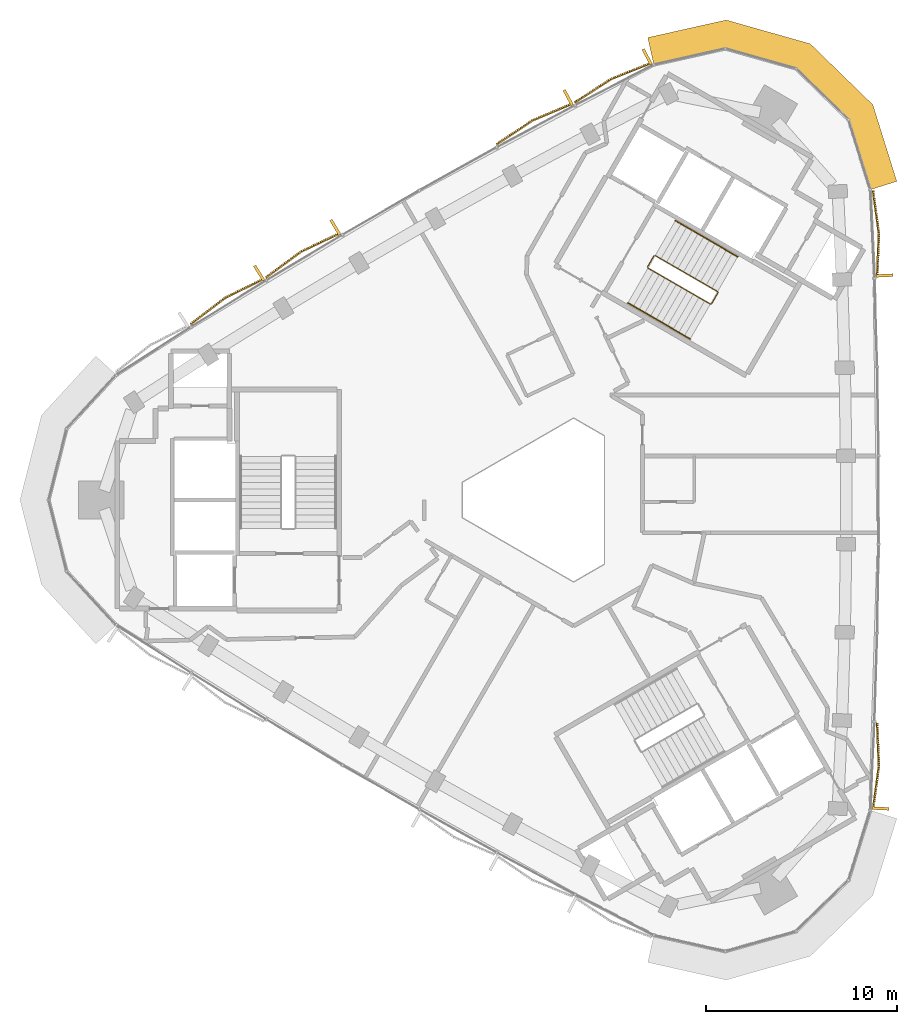
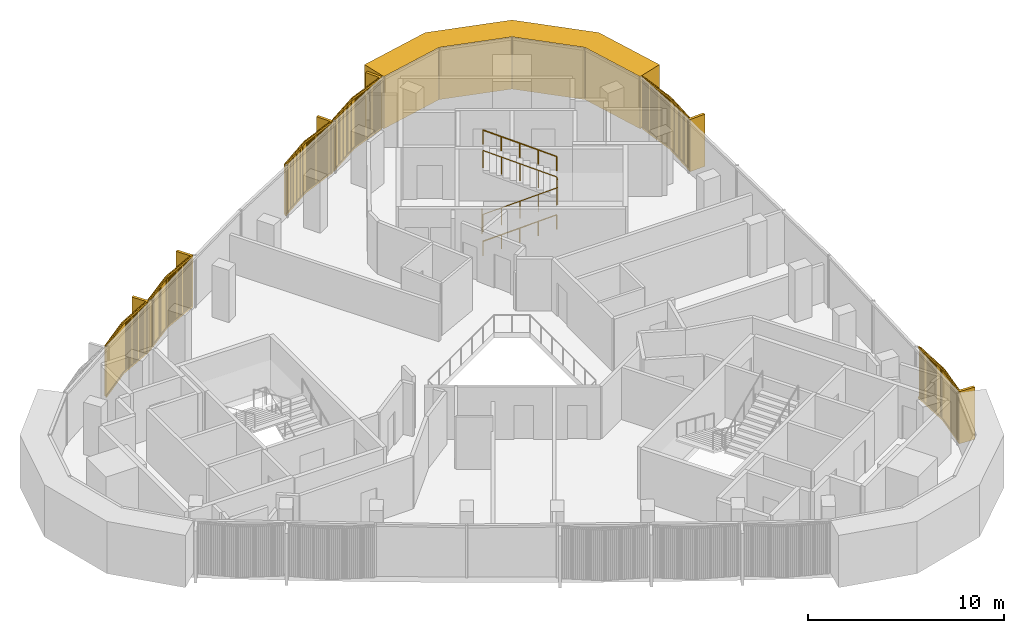
# One storey, part 12 of 12: 7 coverings, 3 railings.
"""IFC4 building model written with IfcOpenShell, lengths in metres."""

from ifc_helpers import new_model, si_unit, direction, frame, frame_2d, origin, origin_2d, place, context, subcontext, project, spatial, polyline, rectangle, circle, outline, extrude, source, transform, mapped, material, layer, layer_set, type_object, element, save


model = new_model("IFC4")

# Units and contexts
model_context = context("Model", 3, precision=1e-05, world=origin(), true_north=direction((0.0, 1.0)))
body_context = subcontext(model_context, "Body", "Model", "MODEL_VIEW")
ifc_project = project(units=[si_unit("LENGTHUNIT", "METRE"), si_unit("AREAUNIT", "SQUARE_METRE"), si_unit("VOLUMEUNIT", "CUBIC_METRE"), si_unit("PLANEANGLEUNIT", "RADIAN"), si_unit("MASSUNIT", "GRAM", prefix="KILO")], contexts=[model_context])

# Site, building, storey
site_placement = place(None, origin())
site = spatial("IfcSite", under=ifc_project, at=site_placement, CompositionType="ELEMENT")
building_placement = place(site_placement, origin())
building = spatial("IfcBuilding", under=site, at=building_placement, Name="Tamra Quay Hotel Tower", CompositionType="ELEMENT")
storey_placement = place(building_placement, frame((0.0, 0.0, 269.39990234375)))
storey = spatial("IfcBuildingStorey", under=building, at=storey_placement, Name="L68", CompositionType="ELEMENT", Elevation=269.39990234375)

# Covering
ifc_material_1 = material(Name="Precast concrete M60 terracotta-coloured", Category="masonry")
ifc_layer = layer(ifc_material_1, 1.449951171875)
ifc_layer_set = layer_set([ifc_layer], Name="CORNER PIER PANEL")
covering_type_1 = type_object("IfcCoveringType", Name="CORNER PIER PANEL", PredefinedType="CLADDING", material=ifc_layer_set)
covering_placement = place(storey_placement, origin())
element("IfcCovering", 1, at=covering_placement, inside=storey, type_object=covering_type_1, Name="Corner pier L68.east", PredefinedType="CLADDING", context=body_context, shape_type="SweptSolid", body=[
    extrude(outline(polyline([(16.89990234375, 16.210205078125), (18.283935546875, 16.642822265625), (17.031494140625, 20.649169921875), (13.759521484375, 23.832275390625), (9.366943359375, 25.07421875), (5.271240234375, 24.15576171875), (5.58837890625, 22.740966796875), (9.325927734375, 23.5791015625), (13.01171875, 22.536865234375), (15.757080078125, 19.865966796875), (16.89990234375, 16.210205078125)])), origin(), (0.0, 0.0, 1.0), 3.25),
])

# Railings
ifc_material_2 = material(Name="Stair guard 1100")
railing_type_1 = type_object("IfcRailingType", Name="Stair guard 1100", PredefinedType="GUARDRAIL", material=ifc_material_2)
railing_1_placement = place(storey_placement, frame((5.595458984375, 12.751953125, 0.0)))
element("IfcRailing", 2, at=railing_1_placement, inside=storey, type_object=railing_type_1, Name="GR", PredefinedType="GUARDRAIL", context=body_context, shape_type="SweptSolid", body=[
    extrude(circle(Radius=0.02392578125, at=origin_2d()), frame((0.0, 0.0, 1.076171875), z_axis=(-0.499765215335, -0.866160914346, 0.0), x_axis=(0.866160914346, -0.499765215335, 0.0)), (0.0, 0.0, 1.0), 0.658935546875),
    extrude(circle(Radius=0.02392578125, at=origin_2d()), frame((-0.329345703125, -0.57080078125, 1.076171875), z_axis=(0.110378772244, -0.410609032747, 0.905105932399), x_axis=(0.965715946433, 0.259601060869, 0.0)), (0.0, 0.0, 1.0), 0.165771484375),
    extrude(circle(Radius=0.02392578125, at=origin_2d()), frame((-0.31103515625, -0.638916015625, 1.22607421875), z_axis=(0.793078462799, -0.457933869594, 0.401650498471), x_axis=(0.500040788363, 0.866001853331, 0.0)), (0.0, 0.0, 1.0), 4.10791015625),
    extrude(circle(Radius=0.02392578125, at=origin_2d()), frame((2.94677734375, -2.52001953125, 2.8759765625), z_axis=(0.965948051503, 0.258736085224, 0.0), x_axis=(-0.258736085224, 0.965948051503, 0.0)), (0.0, 0.0, 1.0), 0.07080078125),
    extrude(circle(Radius=0.02392578125, at=origin_2d()), frame((3.01513671875, -2.501708984375, 2.8759765625), z_axis=(0.500043078269, 0.866000531106, 0.0), x_axis=(-0.866000531106, 0.500043078269, 0.0)), (0.0, 0.0, 1.0), 0.6591796875),
    extrude(circle(Radius=0.02392578125, at=origin_2d()), frame((3.3447265625, -1.930908203125, 2.8759765625), z_axis=(-0.110378772244, 0.410609032747, 0.905105932399), x_axis=(-0.965715946433, -0.259601060869, 0.0)), (0.0, 0.0, 1.0), 0.165771484375),
    extrude(circle(Radius=0.02392578125, at=origin_2d()), frame((3.326416015625, -1.86279296875, 3.0263671875), z_axis=(-0.793100512587, 0.457912285461, 0.401631567183), x_axis=(-0.500012686397, -0.866018079166, 0.0)), (0.0, 0.0, 1.0), 4.10791015625),
    extrude(circle(Radius=0.02099609375, at=origin_2d()), origin(), (0.0, 0.0, 1.0), 1.052001953125),
    extrude(circle(Radius=0.02099609375, at=origin_2d()), frame((-0.329345703125, -0.57080078125, 0.0)), (0.0, 0.0, 1.0), 1.052001953125),
    extrude(circle(Radius=0.02099609375, at=origin_2d()), frame((-0.31103515625, -0.638916015625, 0.150146484375)), (0.0, 0.0, 1.0), 1.052001953125),
    extrude(circle(Radius=0.02099609375, at=origin_2d()), frame((0.50341796875, -1.109130859375, 0.5625)), (0.0, 0.0, 1.0), 1.052001953125),
    extrude(circle(Radius=0.02099609375, at=origin_2d()), frame((1.31787109375, -1.57958984375, 0.97509765625)), (0.0, 0.0, 1.0), 1.052001953125),
    extrude(circle(Radius=0.02099609375, at=origin_2d()), frame((2.13232421875, -2.0498046875, 1.3876953125)), (0.0, 0.0, 1.0), 1.052001953125),
    extrude(circle(Radius=0.02099609375, at=origin_2d()), frame((2.94677734375, -2.52001953125, 1.800048828125)), (0.0, 0.0, 1.0), 1.052001953125),
    extrude(circle(Radius=0.02099609375, at=origin_2d()), frame((3.01513671875, -2.501708984375, 1.800048828125)), (0.0, 0.0, 1.0), 1.052001953125),
    extrude(circle(Radius=0.02099609375, at=origin_2d()), frame((3.3447265625, -1.930908203125, 1.800048828125)), (0.0, 0.0, 1.0), 1.052001953125),
    extrude(circle(Radius=0.02099609375, at=origin_2d()), frame((3.326416015625, -1.86279296875, 1.9501953125)), (0.0, 0.0, 1.0), 1.052001953125),
    extrude(circle(Radius=0.02099609375, at=origin_2d()), frame((2.511962890625, -1.392578125, 2.36279296875)), (0.0, 0.0, 1.0), 1.052001953125),
    extrude(circle(Radius=0.02099609375, at=origin_2d()), frame((1.697265625, -0.92236328125, 2.775146484375)), (0.0, 0.0, 1.0), 1.052001953125),
    extrude(circle(Radius=0.02099609375, at=origin_2d()), frame((0.8828125, -0.451904296875, 3.1875)), (0.0, 0.0, 1.0), 1.052001953125),
    extrude(circle(Radius=0.02099609375, at=origin_2d()), frame((0.068359375, 0.018310546875, 3.60009765625)), (0.0, 0.0, 1.0), 1.052001953125),
])
ifc_material_3 = material(Name="Stair handrail 900")
railing_type_2 = type_object("IfcRailingType", Name="Stair handrail 900", PredefinedType="HANDRAIL", material=ifc_material_3)
railing_2_placement = place(storey_placement, frame((4.234375, 10.294189453125, 0.150146484375)))
element("IfcRailing", 3, at=railing_2_placement, inside=storey, type_object=railing_type_2, Name="HR", PredefinedType="HANDRAIL", context=body_context, shape_type="SweptSolid", body=[
    extrude(circle(Radius=0.02392578125, at=origin_2d()), frame((0.0, 0.0, 0.8759765625), z_axis=(0.793122095483, -0.45786531462, 0.401642496911), x_axis=(0.499964013922, 0.86604617936, 0.0)), (0.0, 0.0, 1.0), 4.10791015625),
    extrude(circle(Radius=0.02099609375, at=origin_2d()), origin(), (0.0, 0.0, 1.0), 0.851806640625),
    extrude(circle(Radius=0.02099609375, at=origin_2d()), frame((0.814453125, -0.47021484375, 0.41259765625)), (0.0, 0.0, 1.0), 0.851806640625),
    extrude(circle(Radius=0.02099609375, at=origin_2d()), frame((1.62890625, -0.9404296875, 0.824951171875)), (0.0, 0.0, 1.0), 0.851806640625),
    extrude(circle(Radius=0.02099609375, at=origin_2d()), frame((2.443603515625, -1.41064453125, 1.2373046875)), (0.0, 0.0, 1.0), 0.851806640625),
    extrude(circle(Radius=0.02099609375, at=origin_2d()), frame((3.258056640625, -1.880859375, 1.64990234375)), (0.0, 0.0, 1.0), 0.851806640625),
])
railing_3_placement = place(storey_placement, frame((9.971923828125, 12.7080078125, 1.9501953125)))
element("IfcRailing", 4, at=railing_3_placement, inside=storey, type_object=railing_type_2, Name="HR", PredefinedType="HANDRAIL", context=body_context, shape_type="SweptSolid", body=[
    extrude(circle(Radius=0.02392578125, at=origin_2d()), frame((0.0, 0.0, 0.8759765625), z_axis=(-0.793122095483, 0.45786531462, 0.401642496911), x_axis=(-0.499964013922, -0.86604617936, 0.0)), (0.0, 0.0, 1.0), 4.10791015625),
    extrude(circle(Radius=0.02099609375, at=origin_2d()), origin(), (0.0, 0.0, 1.0), 0.851806640625),
    extrude(circle(Radius=0.02099609375, at=origin_2d()), frame((-0.814453125, 0.47021484375, 0.41259765625)), (0.0, 0.0, 1.0), 0.851806640625),
    extrude(circle(Radius=0.02099609375, at=origin_2d()), frame((-1.62890625, 0.9404296875, 0.824951171875)), (0.0, 0.0, 1.0), 0.851806640625),
    extrude(circle(Radius=0.02099609375, at=origin_2d()), frame((-2.443603515625, 1.41064453125, 1.2373046875)), (0.0, 0.0, 1.0), 0.851806640625),
    extrude(circle(Radius=0.02099609375, at=origin_2d()), frame((-3.258056640625, 1.880859375, 1.64990234375)), (0.0, 0.0, 1.0), 0.851806640625),
])

# Coverings
ifc_material_4 = material(Name="Terracotta baguette extruded", Category="masonry")
covering_type_2 = type_object("IfcCoveringType", Name="BAGUETTE SCREEN E-V H3250", PredefinedType="USERDEFINED", material=ifc_material_4)
shared_shape_1 = source(origin(), body_context, "Body", "SweptSolid", [
    extrude(rectangle(XDim=2.28125, YDim=0.06005859375, at=frame_2d((1.140625, 0.030029296875))), frame((-2.27783203125, -0.057861328125, -0.1201171875), z_axis=(0.0, 0.0, 1.0), x_axis=(0.996194698092, -0.087155742748, 0.0)), (0.0, 0.0, 1.0), 0.1201171875),
    extrude(rectangle(XDim=2.28125, YDim=0.06005859375, at=frame_2d((1.140625, 0.030029296875))), frame((-2.27783203125, -0.057861328125, -3.25), z_axis=(0.0, 0.0, 1.0), x_axis=(0.996194698092, -0.087155742748, 0.0)), (0.0, 0.0, 1.0), 0.1201171875),
    extrude(rectangle(XDim=0.070068359375, YDim=0.10009765625, at=frame_2d((0.03515625, 0.050048828125))), frame((-2.258056640625, -0.13232421875, -3.18994140625)), (0.0, 0.0, 1.0), 3.1298828125),
    extrude(rectangle(XDim=0.070068359375, YDim=0.10009765625, at=frame_2d((0.03515625, 0.050048828125))), frame((-2.1591796875, -0.140869140625, -3.18994140625)), (0.0, 0.0, 1.0), 3.1298828125),
    extrude(rectangle(XDim=0.070068359375, YDim=0.10009765625, at=frame_2d((0.03515625, 0.050048828125))), frame((-2.060546875, -0.149658203125, -3.18994140625)), (0.0, 0.0, 1.0), 3.1298828125),
    extrude(rectangle(XDim=0.070068359375, YDim=0.10009765625, at=frame_2d((0.03515625, 0.050048828125))), frame((-1.961669921875, -0.158203125, -3.18994140625)), (0.0, 0.0, 1.0), 3.1298828125),
    extrude(rectangle(XDim=0.070068359375, YDim=0.10009765625, at=frame_2d((0.03515625, 0.050048828125))), frame((-1.86279296875, -0.1669921875, -3.18994140625)), (0.0, 0.0, 1.0), 3.1298828125),
    extrude(rectangle(XDim=0.070068359375, YDim=0.10009765625, at=frame_2d((0.03515625, 0.050048828125))), frame((-1.76416015625, -0.175537109375, -3.18994140625)), (0.0, 0.0, 1.0), 3.1298828125),
    extrude(rectangle(XDim=0.070068359375, YDim=0.10009765625, at=frame_2d((0.03515625, 0.050048828125))), frame((-1.665283203125, -0.18408203125, -3.18994140625)), (0.0, 0.0, 1.0), 3.1298828125),
    extrude(rectangle(XDim=0.070068359375, YDim=0.10009765625, at=frame_2d((0.03515625, 0.050048828125))), frame((-1.56640625, -0.19287109375, -3.18994140625)), (0.0, 0.0, 1.0), 3.1298828125),
    extrude(rectangle(XDim=0.070068359375, YDim=0.10009765625, at=frame_2d((0.03515625, 0.050048828125))), frame((-1.4677734375, -0.201416015625, -3.18994140625)), (0.0, 0.0, 1.0), 3.1298828125),
    extrude(rectangle(XDim=0.070068359375, YDim=0.10009765625, at=frame_2d((0.03515625, 0.050048828125))), frame((-1.368896484375, -0.210205078125, -3.18994140625)), (0.0, 0.0, 1.0), 3.1298828125),
    extrude(rectangle(XDim=0.070068359375, YDim=0.10009765625, at=frame_2d((0.03515625, 0.050048828125))), frame((-1.27001953125, -0.21875, -3.18994140625)), (0.0, 0.0, 1.0), 3.1298828125),
    extrude(rectangle(XDim=0.070068359375, YDim=0.10009765625, at=frame_2d((0.03515625, 0.050048828125))), frame((-1.171142578125, -0.227294921875, -3.18994140625)), (0.0, 0.0, 1.0), 3.1298828125),
    extrude(rectangle(XDim=0.070068359375, YDim=0.10009765625, at=frame_2d((0.03515625, 0.050048828125))), frame((-1.072509765625, -0.236083984375, -3.18994140625)), (0.0, 0.0, 1.0), 3.1298828125),
    extrude(rectangle(XDim=0.070068359375, YDim=0.10009765625, at=frame_2d((0.03515625, 0.050048828125))), frame((-0.9736328125, -0.24462890625, -3.18994140625)), (0.0, 0.0, 1.0), 3.1298828125),
    extrude(rectangle(XDim=0.070068359375, YDim=0.10009765625, at=frame_2d((0.03515625, 0.050048828125))), frame((-0.874755859375, -0.25341796875, -3.18994140625)), (0.0, 0.0, 1.0), 3.1298828125),
    extrude(rectangle(XDim=0.070068359375, YDim=0.10009765625, at=frame_2d((0.03515625, 0.050048828125))), frame((-0.776123046875, -0.261962890625, -3.18994140625)), (0.0, 0.0, 1.0), 3.1298828125),
    extrude(rectangle(XDim=0.070068359375, YDim=0.10009765625, at=frame_2d((0.03515625, 0.050048828125))), frame((-0.67724609375, -0.270751953125, -3.18994140625)), (0.0, 0.0, 1.0), 3.1298828125),
    extrude(rectangle(XDim=0.070068359375, YDim=0.10009765625, at=frame_2d((0.03515625, 0.050048828125))), frame((-0.578369140625, -0.279296875, -3.18994140625)), (0.0, 0.0, 1.0), 3.1298828125),
    extrude(rectangle(XDim=0.070068359375, YDim=0.10009765625, at=frame_2d((0.03515625, 0.050048828125))), frame((-0.479736328125, -0.287841796875, -3.18994140625)), (0.0, 0.0, 1.0), 3.1298828125),
    extrude(rectangle(XDim=0.070068359375, YDim=0.10009765625, at=frame_2d((0.03515625, 0.050048828125))), frame((-0.380859375, -0.296630859375, -3.18994140625)), (0.0, 0.0, 1.0), 3.1298828125),
    extrude(rectangle(XDim=0.070068359375, YDim=0.10009765625, at=frame_2d((0.03515625, 0.050048828125))), frame((-0.281982421875, -0.30517578125, -3.18994140625)), (0.0, 0.0, 1.0), 3.1298828125),
    extrude(rectangle(XDim=0.070068359375, YDim=0.10009765625, at=frame_2d((0.03515625, 0.050048828125))), frame((-0.18310546875, -0.31396484375, -3.18994140625)), (0.0, 0.0, 1.0), 3.1298828125),
    extrude(rectangle(XDim=0.070068359375, YDim=0.10009765625, at=frame_2d((0.03515625, 0.050048828125))), frame((-0.08447265625, -0.322509765625, -3.18994140625)), (0.0, 0.0, 1.0), 3.1298828125),
    extrude(rectangle(XDim=2.28125, YDim=0.06005859375, at=frame_2d((1.140625, 0.030029296875))), frame((0.005126953125, -0.256591796875, -0.1201171875), z_axis=(0.0, 0.0, 1.0), x_axis=(0.996194698092, 0.087155742748, 0.0)), (0.0, 0.0, 1.0), 0.1201171875),
    extrude(rectangle(XDim=2.28125, YDim=0.06005859375, at=frame_2d((1.140625, 0.030029296875))), frame((0.005126953125, -0.256591796875, -3.25), z_axis=(0.0, 0.0, 1.0), x_axis=(0.996194698092, 0.087155742748, 0.0)), (0.0, 0.0, 1.0), 0.1201171875),
    extrude(rectangle(XDim=0.070068359375, YDim=0.10009765625, at=frame_2d((0.03515625, 0.050048828125))), frame((0.014404296875, -0.322509765625, -3.18994140625)), (0.0, 0.0, 1.0), 3.1298828125),
    extrude(rectangle(XDim=0.070068359375, YDim=0.10009765625, at=frame_2d((0.03515625, 0.050048828125))), frame((0.11328125, -0.31396484375, -3.18994140625)), (0.0, 0.0, 1.0), 3.1298828125),
    extrude(rectangle(XDim=0.070068359375, YDim=0.10009765625, at=frame_2d((0.03515625, 0.050048828125))), frame((0.2119140625, -0.30517578125, -3.18994140625)), (0.0, 0.0, 1.0), 3.1298828125),
    extrude(rectangle(XDim=0.070068359375, YDim=0.10009765625, at=frame_2d((0.03515625, 0.050048828125))), frame((0.310791015625, -0.296630859375, -3.18994140625)), (0.0, 0.0, 1.0), 3.1298828125),
    extrude(rectangle(XDim=0.070068359375, YDim=0.10009765625, at=frame_2d((0.03515625, 0.050048828125))), frame((0.40966796875, -0.287841796875, -3.18994140625)), (0.0, 0.0, 1.0), 3.1298828125),
    extrude(rectangle(XDim=0.070068359375, YDim=0.10009765625, at=frame_2d((0.03515625, 0.050048828125))), frame((0.50830078125, -0.279296875, -3.18994140625)), (0.0, 0.0, 1.0), 3.1298828125),
    extrude(rectangle(XDim=0.070068359375, YDim=0.10009765625, at=frame_2d((0.03515625, 0.050048828125))), frame((0.607177734375, -0.270751953125, -3.18994140625)), (0.0, 0.0, 1.0), 3.1298828125),
    extrude(rectangle(XDim=0.070068359375, YDim=0.10009765625, at=frame_2d((0.03515625, 0.050048828125))), frame((0.7060546875, -0.261962890625, -3.18994140625)), (0.0, 0.0, 1.0), 3.1298828125),
    extrude(rectangle(XDim=0.070068359375, YDim=0.10009765625, at=frame_2d((0.03515625, 0.050048828125))), frame((0.804931640625, -0.25341796875, -3.18994140625)), (0.0, 0.0, 1.0), 3.1298828125),
    extrude(rectangle(XDim=0.070068359375, YDim=0.10009765625, at=frame_2d((0.03515625, 0.050048828125))), frame((0.903564453125, -0.24462890625, -3.18994140625)), (0.0, 0.0, 1.0), 3.1298828125),
    extrude(rectangle(XDim=0.070068359375, YDim=0.10009765625, at=frame_2d((0.03515625, 0.050048828125))), frame((1.00244140625, -0.236083984375, -3.18994140625)), (0.0, 0.0, 1.0), 3.1298828125),
    extrude(rectangle(XDim=0.070068359375, YDim=0.10009765625, at=frame_2d((0.03515625, 0.050048828125))), frame((1.101318359375, -0.227294921875, -3.18994140625)), (0.0, 0.0, 1.0), 3.1298828125),
    extrude(rectangle(XDim=0.070068359375, YDim=0.10009765625, at=frame_2d((0.03515625, 0.050048828125))), frame((1.199951171875, -0.21875, -3.18994140625)), (0.0, 0.0, 1.0), 3.1298828125),
    extrude(rectangle(XDim=0.070068359375, YDim=0.10009765625, at=frame_2d((0.03515625, 0.050048828125))), frame((1.298828125, -0.210205078125, -3.18994140625)), (0.0, 0.0, 1.0), 3.1298828125),
    extrude(rectangle(XDim=0.070068359375, YDim=0.10009765625, at=frame_2d((0.03515625, 0.050048828125))), frame((1.397705078125, -0.201416015625, -3.18994140625)), (0.0, 0.0, 1.0), 3.1298828125),
    extrude(rectangle(XDim=0.070068359375, YDim=0.10009765625, at=frame_2d((0.03515625, 0.050048828125))), frame((1.49658203125, -0.19287109375, -3.18994140625)), (0.0, 0.0, 1.0), 3.1298828125),
    extrude(rectangle(XDim=0.070068359375, YDim=0.10009765625, at=frame_2d((0.03515625, 0.050048828125))), frame((1.59521484375, -0.18408203125, -3.18994140625)), (0.0, 0.0, 1.0), 3.1298828125),
    extrude(rectangle(XDim=0.070068359375, YDim=0.10009765625, at=frame_2d((0.03515625, 0.050048828125))), frame((1.694091796875, -0.175537109375, -3.18994140625)), (0.0, 0.0, 1.0), 3.1298828125),
    extrude(rectangle(XDim=0.070068359375, YDim=0.10009765625, at=frame_2d((0.03515625, 0.050048828125))), frame((1.79296875, -0.1669921875, -3.18994140625)), (0.0, 0.0, 1.0), 3.1298828125),
    extrude(rectangle(XDim=0.070068359375, YDim=0.10009765625, at=frame_2d((0.03515625, 0.050048828125))), frame((1.8916015625, -0.158203125, -3.18994140625)), (0.0, 0.0, 1.0), 3.1298828125),
    extrude(rectangle(XDim=0.070068359375, YDim=0.10009765625, at=frame_2d((0.03515625, 0.050048828125))), frame((1.990478515625, -0.149658203125, -3.18994140625)), (0.0, 0.0, 1.0), 3.1298828125),
    extrude(rectangle(XDim=0.070068359375, YDim=0.10009765625, at=frame_2d((0.03515625, 0.050048828125))), frame((2.08935546875, -0.140869140625, -3.18994140625)), (0.0, 0.0, 1.0), 3.1298828125),
    extrude(rectangle(XDim=0.070068359375, YDim=0.10009765625, at=frame_2d((0.03515625, 0.050048828125))), frame((2.18798828125, -0.13232421875, -3.18994140625)), (0.0, 0.0, 1.0), 3.1298828125),
    extrude(rectangle(XDim=0.14990234375, YDim=0.902099609375, at=frame_2d((0.074951171875, 0.451171875))), frame((-2.2724609375, -0.89990234375, -3.25)), (0.0, 0.0, 1.0), 3.25),
])
for number, where, z_axis, x_axis, name in (
    (5, (17.08642578125, -13.899169921875, 3.25), (0.0, 0.0, 1.0), (0.04682126455, 0.998903283199, 0.0), "Baguette screen L68.E.f00"),
    (6, (17.08642578125, 13.899169921875, 3.25), (0.0, 0.0, 1.0), (-0.04682126455, 0.998903283199, 0.0), "Baguette screen L68.E.f06"),
):
    element("IfcCovering", number, at=place(storey_placement, frame(where, z_axis=z_axis, x_axis=x_axis)), inside=storey, type_object=covering_type_2, Name=name, ObjectType="BAGUETTE SCREEN", PredefinedType="USERDEFINED", context=body_context, shape_type="MappedRepresentation", body=[
        mapped(shared_shape_1, transform((0.0, 0.0, 0.0), scale=1.0)),
    ])
covering_type_3 = type_object("IfcCoveringType", Name="BAGUETTE SCREEN NW-V H3250", PredefinedType="USERDEFINED", material=ifc_material_4)
shared_shape_2 = source(origin(), body_context, "Body", "SweptSolid", [
    extrude(rectangle(XDim=2.282958984375, YDim=0.06005859375, at=frame_2d((1.1416015625, 0.030029296875))), frame((-2.2783203125, -0.0576171875, -0.1201171875), z_axis=(0.0, 0.0, 1.0), x_axis=(0.995396198367, -0.09584575252, 0.0)), (0.0, 0.0, 1.0), 0.1201171875),
    extrude(rectangle(XDim=2.282958984375, YDim=0.06005859375, at=frame_2d((1.1416015625, 0.030029296875))), frame((-2.2783203125, -0.0576171875, -3.25), z_axis=(0.0, 0.0, 1.0), x_axis=(0.995396198367, -0.09584575252, 0.0)), (0.0, 0.0, 1.0), 0.1201171875),
    extrude(rectangle(XDim=0.070068359375, YDim=0.10009765625, at=frame_2d((0.03515625, 0.050048828125))), frame((-2.258056640625, -0.1328125, -3.18994140625)), (0.0, 0.0, 1.0), 3.1298828125),
    extrude(rectangle(XDim=0.070068359375, YDim=0.10009765625, at=frame_2d((0.03515625, 0.050048828125))), frame((-2.1591796875, -0.142333984375, -3.18994140625)), (0.0, 0.0, 1.0), 3.1298828125),
    extrude(rectangle(XDim=0.070068359375, YDim=0.10009765625, at=frame_2d((0.03515625, 0.050048828125))), frame((-2.060546875, -0.15185546875, -3.18994140625)), (0.0, 0.0, 1.0), 3.1298828125),
    extrude(rectangle(XDim=0.070068359375, YDim=0.10009765625, at=frame_2d((0.03515625, 0.050048828125))), frame((-1.961669921875, -0.161376953125, -3.18994140625)), (0.0, 0.0, 1.0), 3.1298828125),
    extrude(rectangle(XDim=0.070068359375, YDim=0.10009765625, at=frame_2d((0.03515625, 0.050048828125))), frame((-1.86279296875, -0.1708984375, -3.18994140625)), (0.0, 0.0, 1.0), 3.1298828125),
    extrude(rectangle(XDim=0.070068359375, YDim=0.10009765625, at=frame_2d((0.03515625, 0.050048828125))), frame((-1.76416015625, -0.180419921875, -3.18994140625)), (0.0, 0.0, 1.0), 3.1298828125),
    extrude(rectangle(XDim=0.070068359375, YDim=0.10009765625, at=frame_2d((0.03515625, 0.050048828125))), frame((-1.665283203125, -0.18994140625, -3.18994140625)), (0.0, 0.0, 1.0), 3.1298828125),
    extrude(rectangle(XDim=0.070068359375, YDim=0.10009765625, at=frame_2d((0.03515625, 0.050048828125))), frame((-1.56640625, -0.199462890625, -3.18994140625)), (0.0, 0.0, 1.0), 3.1298828125),
    extrude(rectangle(XDim=0.070068359375, YDim=0.10009765625, at=frame_2d((0.03515625, 0.050048828125))), frame((-1.4677734375, -0.208984375, -3.18994140625)), (0.0, 0.0, 1.0), 3.1298828125),
    extrude(rectangle(XDim=0.070068359375, YDim=0.10009765625, at=frame_2d((0.03515625, 0.050048828125))), frame((-1.368896484375, -0.21826171875, -3.18994140625)), (0.0, 0.0, 1.0), 3.1298828125),
    extrude(rectangle(XDim=0.070068359375, YDim=0.10009765625, at=frame_2d((0.03515625, 0.050048828125))), frame((-1.27001953125, -0.227783203125, -3.18994140625)), (0.0, 0.0, 1.0), 3.1298828125),
    extrude(rectangle(XDim=0.070068359375, YDim=0.10009765625, at=frame_2d((0.03515625, 0.050048828125))), frame((-1.171142578125, -0.2373046875, -3.18994140625)), (0.0, 0.0, 1.0), 3.1298828125),
    extrude(rectangle(XDim=0.070068359375, YDim=0.10009765625, at=frame_2d((0.03515625, 0.050048828125))), frame((-1.072509765625, -0.246826171875, -3.18994140625)), (0.0, 0.0, 1.0), 3.1298828125),
    extrude(rectangle(XDim=0.070068359375, YDim=0.10009765625, at=frame_2d((0.03515625, 0.050048828125))), frame((-0.9736328125, -0.25634765625, -3.18994140625)), (0.0, 0.0, 1.0), 3.1298828125),
    extrude(rectangle(XDim=0.070068359375, YDim=0.10009765625, at=frame_2d((0.03515625, 0.050048828125))), frame((-0.874755859375, -0.265869140625, -3.18994140625)), (0.0, 0.0, 1.0), 3.1298828125),
    extrude(rectangle(XDim=0.070068359375, YDim=0.10009765625, at=frame_2d((0.03515625, 0.050048828125))), frame((-0.776123046875, -0.275390625, -3.18994140625)), (0.0, 0.0, 1.0), 3.1298828125),
    extrude(rectangle(XDim=0.070068359375, YDim=0.10009765625, at=frame_2d((0.03515625, 0.050048828125))), frame((-0.67724609375, -0.284912109375, -3.18994140625)), (0.0, 0.0, 1.0), 3.1298828125),
    extrude(rectangle(XDim=0.070068359375, YDim=0.10009765625, at=frame_2d((0.03515625, 0.050048828125))), frame((-0.578369140625, -0.29443359375, -3.18994140625)), (0.0, 0.0, 1.0), 3.1298828125),
    extrude(rectangle(XDim=0.070068359375, YDim=0.10009765625, at=frame_2d((0.03515625, 0.050048828125))), frame((-0.479736328125, -0.303955078125, -3.18994140625)), (0.0, 0.0, 1.0), 3.1298828125),
    extrude(rectangle(XDim=0.070068359375, YDim=0.10009765625, at=frame_2d((0.03515625, 0.050048828125))), frame((-0.380859375, -0.3134765625, -3.18994140625)), (0.0, 0.0, 1.0), 3.1298828125),
    extrude(rectangle(XDim=0.070068359375, YDim=0.10009765625, at=frame_2d((0.03515625, 0.050048828125))), frame((-0.281982421875, -0.322998046875, -3.18994140625)), (0.0, 0.0, 1.0), 3.1298828125),
    extrude(rectangle(XDim=0.070068359375, YDim=0.10009765625, at=frame_2d((0.03515625, 0.050048828125))), frame((-0.18310546875, -0.33251953125, -3.18994140625)), (0.0, 0.0, 1.0), 3.1298828125),
    extrude(rectangle(XDim=0.070068359375, YDim=0.10009765625, at=frame_2d((0.03515625, 0.050048828125))), frame((-0.08447265625, -0.342041015625, -3.18994140625)), (0.0, 0.0, 1.0), 3.1298828125),
    extrude(rectangle(XDim=2.282958984375, YDim=0.06005859375, at=frame_2d((1.1416015625, 0.030029296875))), frame((0.005859375, -0.276611328125, -0.1201171875), z_axis=(0.0, 0.0, 1.0), x_axis=(0.995396198367, 0.09584575252, 0.0)), (0.0, 0.0, 1.0), 0.1201171875),
    extrude(rectangle(XDim=2.282958984375, YDim=0.06005859375, at=frame_2d((1.1416015625, 0.030029296875))), frame((0.005859375, -0.276611328125, -3.25), z_axis=(0.0, 0.0, 1.0), x_axis=(0.995396198367, 0.09584575252, 0.0)), (0.0, 0.0, 1.0), 0.1201171875),
    extrude(rectangle(XDim=0.070068359375, YDim=0.10009765625, at=frame_2d((0.03515625, 0.050048828125))), frame((0.014404296875, -0.342041015625, -3.18994140625)), (0.0, 0.0, 1.0), 3.1298828125),
    extrude(rectangle(XDim=0.070068359375, YDim=0.10009765625, at=frame_2d((0.03515625, 0.050048828125))), frame((0.11328125, -0.33251953125, -3.18994140625)), (0.0, 0.0, 1.0), 3.1298828125),
    extrude(rectangle(XDim=0.070068359375, YDim=0.10009765625, at=frame_2d((0.03515625, 0.050048828125))), frame((0.2119140625, -0.322998046875, -3.18994140625)), (0.0, 0.0, 1.0), 3.1298828125),
    extrude(rectangle(XDim=0.070068359375, YDim=0.10009765625, at=frame_2d((0.03515625, 0.050048828125))), frame((0.310791015625, -0.3134765625, -3.18994140625)), (0.0, 0.0, 1.0), 3.1298828125),
    extrude(rectangle(XDim=0.070068359375, YDim=0.10009765625, at=frame_2d((0.03515625, 0.050048828125))), frame((0.40966796875, -0.303955078125, -3.18994140625)), (0.0, 0.0, 1.0), 3.1298828125),
    extrude(rectangle(XDim=0.070068359375, YDim=0.10009765625, at=frame_2d((0.03515625, 0.050048828125))), frame((0.50830078125, -0.29443359375, -3.18994140625)), (0.0, 0.0, 1.0), 3.1298828125),
    extrude(rectangle(XDim=0.070068359375, YDim=0.10009765625, at=frame_2d((0.03515625, 0.050048828125))), frame((0.607177734375, -0.284912109375, -3.18994140625)), (0.0, 0.0, 1.0), 3.1298828125),
    extrude(rectangle(XDim=0.070068359375, YDim=0.10009765625, at=frame_2d((0.03515625, 0.050048828125))), frame((0.7060546875, -0.275390625, -3.18994140625)), (0.0, 0.0, 1.0), 3.1298828125),
    extrude(rectangle(XDim=0.070068359375, YDim=0.10009765625, at=frame_2d((0.03515625, 0.050048828125))), frame((0.804931640625, -0.265869140625, -3.18994140625)), (0.0, 0.0, 1.0), 3.1298828125),
    extrude(rectangle(XDim=0.070068359375, YDim=0.10009765625, at=frame_2d((0.03515625, 0.050048828125))), frame((0.903564453125, -0.25634765625, -3.18994140625)), (0.0, 0.0, 1.0), 3.1298828125),
    extrude(rectangle(XDim=0.070068359375, YDim=0.10009765625, at=frame_2d((0.03515625, 0.050048828125))), frame((1.00244140625, -0.246826171875, -3.18994140625)), (0.0, 0.0, 1.0), 3.1298828125),
    extrude(rectangle(XDim=0.070068359375, YDim=0.10009765625, at=frame_2d((0.03515625, 0.050048828125))), frame((1.101318359375, -0.2373046875, -3.18994140625)), (0.0, 0.0, 1.0), 3.1298828125),
    extrude(rectangle(XDim=0.070068359375, YDim=0.10009765625, at=frame_2d((0.03515625, 0.050048828125))), frame((1.199951171875, -0.227783203125, -3.18994140625)), (0.0, 0.0, 1.0), 3.1298828125),
    extrude(rectangle(XDim=0.070068359375, YDim=0.10009765625, at=frame_2d((0.03515625, 0.050048828125))), frame((1.298828125, -0.21826171875, -3.18994140625)), (0.0, 0.0, 1.0), 3.1298828125),
    extrude(rectangle(XDim=0.070068359375, YDim=0.10009765625, at=frame_2d((0.03515625, 0.050048828125))), frame((1.397705078125, -0.208984375, -3.18994140625)), (0.0, 0.0, 1.0), 3.1298828125),
    extrude(rectangle(XDim=0.070068359375, YDim=0.10009765625, at=frame_2d((0.03515625, 0.050048828125))), frame((1.49658203125, -0.199462890625, -3.18994140625)), (0.0, 0.0, 1.0), 3.1298828125),
    extrude(rectangle(XDim=0.070068359375, YDim=0.10009765625, at=frame_2d((0.03515625, 0.050048828125))), frame((1.59521484375, -0.18994140625, -3.18994140625)), (0.0, 0.0, 1.0), 3.1298828125),
    extrude(rectangle(XDim=0.070068359375, YDim=0.10009765625, at=frame_2d((0.03515625, 0.050048828125))), frame((1.694091796875, -0.180419921875, -3.18994140625)), (0.0, 0.0, 1.0), 3.1298828125),
    extrude(rectangle(XDim=0.070068359375, YDim=0.10009765625, at=frame_2d((0.03515625, 0.050048828125))), frame((1.79296875, -0.1708984375, -3.18994140625)), (0.0, 0.0, 1.0), 3.1298828125),
    extrude(rectangle(XDim=0.070068359375, YDim=0.10009765625, at=frame_2d((0.03515625, 0.050048828125))), frame((1.8916015625, -0.161376953125, -3.18994140625)), (0.0, 0.0, 1.0), 3.1298828125),
    extrude(rectangle(XDim=0.070068359375, YDim=0.10009765625, at=frame_2d((0.03515625, 0.050048828125))), frame((1.990478515625, -0.15185546875, -3.18994140625)), (0.0, 0.0, 1.0), 3.1298828125),
    extrude(rectangle(XDim=0.070068359375, YDim=0.10009765625, at=frame_2d((0.03515625, 0.050048828125))), frame((2.08935546875, -0.142333984375, -3.18994140625)), (0.0, 0.0, 1.0), 3.1298828125),
    extrude(rectangle(XDim=0.070068359375, YDim=0.10009765625, at=frame_2d((0.03515625, 0.050048828125))), frame((2.18798828125, -0.1328125, -3.18994140625)), (0.0, 0.0, 1.0), 3.1298828125),
    extrude(rectangle(XDim=0.14990234375, YDim=0.902099609375, at=frame_2d((0.074951171875, 0.451171875))), frame((-2.2724609375, -0.89990234375, -3.25)), (0.0, 0.0, 1.0), 3.25),
])
for number, where, z_axis, x_axis, name in (
    (7, (3.493896484375, 21.746826171875, 3.25), (0.0, 0.0, 1.0), (-0.888486251449, -0.458903237062, 0.0), "Baguette screen L68.NW.f00"),
    (8, (-0.607177734375, 19.587890625, 3.25), (0.0, 0.0, 1.0), (-0.88122356057, -0.472699731644, 0.0), "Baguette screen L68.NW.f01"),
    (9, (-12.701904296875, 12.73046875, 3.25), (0.0, 0.0, 1.0), (-0.85810338385, -0.513476954327, 0.0), "Baguette screen L68.NW.f04"),
    (10, (-16.659912109375, 10.31982421875, 3.25), (0.0, 0.0, 1.0), (-0.849981756251, -0.526812124045, 0.0), "Baguette screen L68.NW.f05"),
):
    element("IfcCovering", number, at=place(storey_placement, frame(where, z_axis=z_axis, x_axis=x_axis)), inside=storey, type_object=covering_type_3, Name=name, ObjectType="BAGUETTE SCREEN", PredefinedType="USERDEFINED", context=body_context, shape_type="MappedRepresentation", body=[
        mapped(shared_shape_2, transform((0.0, 0.0, 0.0), scale=1.0)),
    ])

save(model, "model.ifc")
